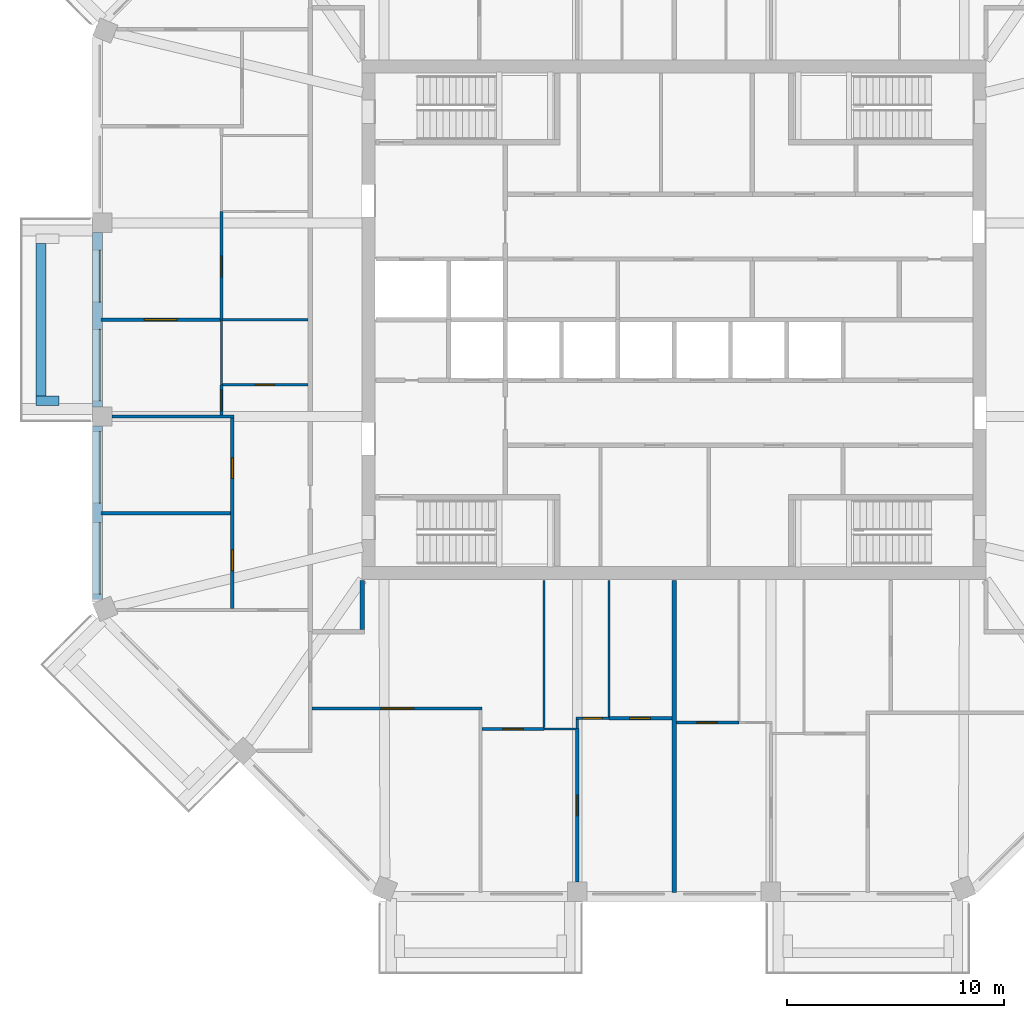
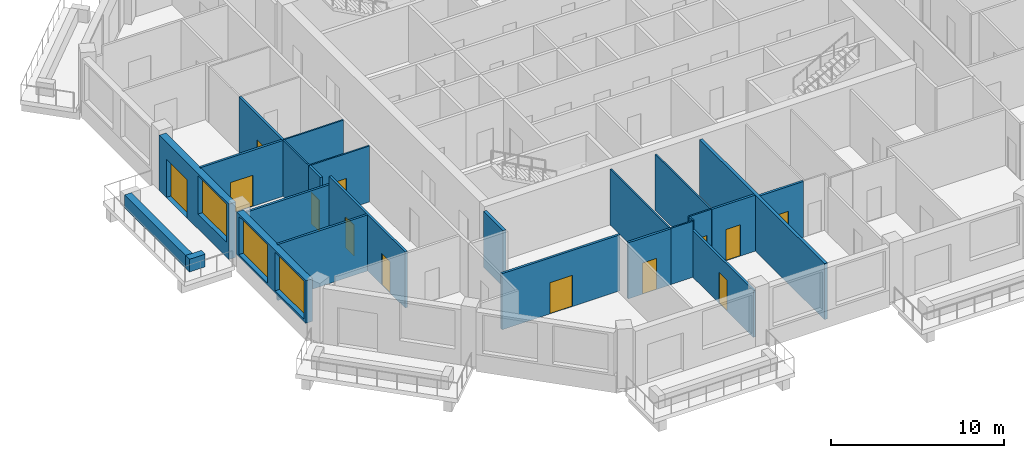
# One storey, part 3 of 12: 25 walls, 13 doors, 3 windows, 16 openings.
"""IFC4 building model written with IfcOpenShell, lengths in metres."""

from ifc_helpers import new_model, si_unit, direction, frame, frame_2d, origin, place, context, subcontext, project, spatial, rectangle, extrude, material, layer, layer_set, type_object, element, fill, save


model = new_model("IFC4")

# Units and contexts
model_context = context("Model", 3, precision=1e-05, world=origin(), true_north=direction((0.0, 1.0)))
body_context = subcontext(model_context, "Body", "Model", "MODEL_VIEW")
ifc_project = project(units=[si_unit("LENGTHUNIT", "METRE"), si_unit("AREAUNIT", "SQUARE_METRE"), si_unit("VOLUMEUNIT", "CUBIC_METRE"), si_unit("PLANEANGLEUNIT", "RADIAN"), si_unit("MASSUNIT", "GRAM", prefix="KILO")], contexts=[model_context])

# Site, building, storey
site_placement = place(None, origin())
site = spatial("IfcSite", under=ifc_project, at=site_placement, CompositionType="ELEMENT")
building_placement = place(site_placement, origin())
building = spatial("IfcBuilding", under=site, at=building_placement, Name="Msitu Wima Residences", CompositionType="ELEMENT")
storey_placement = place(building_placement, frame((0.0, 0.0, 255.89990234375)))
storey = spatial("IfcBuildingStorey", under=building, at=storey_placement, Name="L59", CompositionType="ELEMENT", Elevation=255.89990234375)

# Walls
ifc_material_1 = material(Name="Facing brick")
ifc_layer_1 = layer(ifc_material_1, 0.06494140625, Name="Facing brick")
ifc_material_2 = material(Name="Concrete C40/50", Category="concrete")
ifc_layer_2 = layer(ifc_material_2, 0.156005859375, Name="Concrete C40/50")
ifc_material_3 = material(Name="Waterproofing membrane")
ifc_layer_3 = layer(ifc_material_3, 0.00390625, Name="Waterproofing membrane")
ifc_material_4 = material(Name="Planting soil and planting")
ifc_layer_4 = layer(ifc_material_4, 0.22509765625, Name="Planting soil and planting")
ifc_layer_set_1 = layer_set([ifc_layer_1, ifc_layer_2, ifc_layer_3, ifc_layer_4], Name="Concrete C40/50")
wall_type_1 = type_object("IfcWallType", Name="Balcony planter PLANTER PL450", PredefinedType="USERDEFINED", material=ifc_layer_set_1)
wall_1_placement = place(storey_placement, frame((-29.22509765625, 3.5185546875, 0.0), z_axis=(0.0, 0.0, 1.0), x_axis=(0.0, -1.0, 0.0)))
element("IfcWall", 1, at=wall_1_placement, inside=storey, type_object=wall_type_1, Name="Balcony planter W1 L59", ObjectType="PLANTER", PredefinedType="USERDEFINED", context=body_context, shape_type="SweptSolid", body=[
    extrude(rectangle(XDim=7.037109375, YDim=0.449951171875, at=frame_2d((3.5185546875, 0.0))), origin(), (0.0, 0.0, 1.0), 0.900146484375),
])
wall_2_placement = place(storey_placement, frame((-28.39990234375, -3.74365234375, 0.0), z_axis=(0.0, 0.0, 1.0), x_axis=(-1.0, 0.0, 0.0)))
element("IfcWall", 2, at=wall_2_placement, inside=storey, type_object=wall_type_1, Name="Balcony planter W1 L59", ObjectType="PLANTER", PredefinedType="USERDEFINED", context=body_context, shape_type="SweptSolid", body=[
    extrude(rectangle(XDim=1.050048828125, YDim=0.449951171875, at=frame_2d((0.52490234375, 0.0))), origin(), (0.0, 0.0, 1.0), 0.900146484375),
])

# Wall, openings, door, window
ifc_material_5 = material(Name="Brick (red buff mix)", Category="masonry")
ifc_layer_5 = layer(ifc_material_5, 0.449951171875)
ifc_layer_set_2 = layer_set([ifc_layer_5], Name="Brick (red buff mix)")
wall_type_2 = type_object("IfcWallType", Name="Brick infill wall BW450", PredefinedType="SOLIDWALL", material=ifc_layer_set_2)
wall_3_placement = place(storey_placement, frame((-26.625, 4.0185546875, 0.0), z_axis=(0.0, 0.0, 1.0), x_axis=(0.0, -1.0, 0.0)))
wall_3 = element("IfcWall", 3, at=wall_3_placement, inside=storey, type_object=wall_type_2, Name="Brick infill wall L59 W1", PredefinedType="SOLIDWALL", context=body_context, shape_type="SweptSolid", body=[
    extrude(rectangle(XDim=8.037109375, YDim=0.449951171875, at=frame_2d((4.0185546875, 0.0))), origin(), (0.0, 0.0, 1.0), 3.900146484375),
])
opening_1_placement = place(wall_3_placement, frame((0.809326171875, 0.0, 0.0)))
opening_1 = element("IfcOpeningElement", 4, at=opening_1_placement, cuts=wall_3, Name="Opening D57-59.010", PredefinedType="OPENING", context=body_context, shape_type="SweptSolid", body=[
    extrude(rectangle(XDim=2.39990234375, YDim=2.699951171875, at=frame_2d((1.199951171875, 1.35009765625))), frame((0.0, 0.23486328125, 0.0), z_axis=(0.0, -1.0, 0.0), x_axis=(1.0, 0.0, 0.0)), (0.0, 0.0, 1.0), 0.469970703125),
])
opening_2_placement = place(wall_3_placement, frame((4.46875, 0.0, 1.050048828125)))
opening_2 = element("IfcOpeningElement", 5, at=opening_2_placement, cuts=wall_3, Name="Opening W57-59.028", PredefinedType="OPENING", context=body_context, shape_type="SweptSolid", body=[
    extrude(rectangle(XDim=3.300048828125, YDim=2.699951171875, at=frame_2d((1.64990234375, 1.35009765625))), frame((0.0, 0.23486328125, 0.0), z_axis=(0.0, -1.0, 0.0), x_axis=(1.0, 0.0, 0.0)), (0.0, 0.0, 1.0), 0.469970703125),
])
ifc_material_6 = material(Name="Anodised aluminium, bronze finish, clear low-emissivity double glazing", Category="aluminium")
door_type_1 = type_object("IfcDoorType", Name="Balcony door D2400x2700", OperationType="SLIDING_TO_LEFT", PredefinedType="DOOR", material=ifc_material_6)
door_1_placement = place(opening_1_placement, origin())
door_1 = element("IfcDoor", 6, at=door_1_placement, inside=storey, type_object=door_type_1, Name="Balcony door L59 W1", OperationType="SINGLE_SWING_LEFT", OverallHeight=2.699951171875, OverallWidth=2.39990234375, PredefinedType="DOOR", context=body_context, shape_type="SweptSolid", body=[
    extrude(rectangle(XDim=2.39990234375, YDim=2.699951171875, at=frame_2d((1.199951171875, 1.35009765625))), frame((0.0, 0.1298828125, 0.0), z_axis=(0.0, -1.0, 0.0), x_axis=(1.0, 0.0, 0.0)), (0.0, 0.0, 1.0), 0.050048828125),
])
fill(opening_1, door_1)
window_type = type_object("IfcWindowType", Name="Window W3300x2700", PartitioningType="DOUBLE_PANEL_VERTICAL", PredefinedType="WINDOW", material=ifc_material_6)
window_1_placement = place(opening_2_placement, origin())
window_1 = element("IfcWindow", 7, at=window_1_placement, inside=storey, type_object=window_type, Name="Window L59 W1.2", OverallHeight=2.699951171875, OverallWidth=3.300048828125, PartitioningType="SINGLE_PANEL", PredefinedType="WINDOW", context=body_context, shape_type="SweptSolid", body=[
    extrude(rectangle(XDim=3.300048828125, YDim=2.699951171875, at=frame_2d((1.64990234375, 1.35009765625))), frame((0.0, 0.135009765625, 0.0), z_axis=(0.0, -1.0, 0.0), x_axis=(1.0, 0.0, 0.0)), (0.0, 0.0, 1.0), 0.06005859375),
])
fill(opening_2, window_1)

# Wall, openings, windows
wall_4_placement = place(storey_placement, frame((-26.625, -4.918701171875, 0.900146484375), z_axis=(0.0, 0.0, 1.0), x_axis=(0.0, -1.0, 0.0)))
wall_4 = element("IfcWall", 8, at=wall_4_placement, inside=storey, type_object=wall_type_2, Name="Brick infill wall L59 W2", PredefinedType="SOLIDWALL", context=body_context, shape_type="SweptSolid", body=[
    extrude(rectangle(XDim=8.0, YDim=0.449951171875, at=frame_2d((4.0, 0.0))), origin(), (0.0, 0.0, 1.0), 3.0),
])
opening_3_placement = place(wall_4_placement, frame((0.25, 0.0, 0.14990234375)))
opening_3 = element("IfcOpeningElement", 9, at=opening_3_placement, cuts=wall_4, Name="Opening W57-59.029", PredefinedType="OPENING", context=body_context, shape_type="SweptSolid", body=[
    extrude(rectangle(XDim=3.300048828125, YDim=2.699951171875, at=frame_2d((1.64990234375, 1.35009765625))), frame((0.0, 0.23486328125, 0.0), z_axis=(0.0, -1.0, 0.0), x_axis=(1.0, 0.0, 0.0)), (0.0, 0.0, 1.0), 0.469970703125),
])
opening_4_placement = place(wall_4_placement, frame((4.4501953125, 0.0, 0.14990234375)))
opening_4 = element("IfcOpeningElement", 10, at=opening_4_placement, cuts=wall_4, Name="Opening W57-59.030", PredefinedType="OPENING", context=body_context, shape_type="SweptSolid", body=[
    extrude(rectangle(XDim=3.300048828125, YDim=2.699951171875, at=frame_2d((1.64990234375, 1.35009765625))), frame((0.0, 0.23486328125, 0.0), z_axis=(0.0, -1.0, 0.0), x_axis=(1.0, 0.0, 0.0)), (0.0, 0.0, 1.0), 0.469970703125),
])
window_2_placement = place(opening_3_placement, origin())
window_2 = element("IfcWindow", 11, at=window_2_placement, inside=storey, type_object=window_type, Name="Window L59 W2.1", OverallHeight=2.699951171875, OverallWidth=3.300048828125, PartitioningType="SINGLE_PANEL", PredefinedType="WINDOW", context=body_context, shape_type="SweptSolid", body=[
    extrude(rectangle(XDim=3.300048828125, YDim=2.699951171875, at=frame_2d((1.64990234375, 1.35009765625))), frame((0.0, 0.135009765625, 0.0), z_axis=(0.0, -1.0, 0.0), x_axis=(1.0, 0.0, 0.0)), (0.0, 0.0, 1.0), 0.06005859375),
])
fill(opening_3, window_2)
window_3_placement = place(opening_4_placement, origin())
window_3 = element("IfcWindow", 12, at=window_3_placement, inside=storey, type_object=window_type, Name="Window L59 W2.2", OverallHeight=2.699951171875, OverallWidth=3.300048828125, PartitioningType="SINGLE_PANEL", PredefinedType="WINDOW", context=body_context, shape_type="SweptSolid", body=[
    extrude(rectangle(XDim=3.300048828125, YDim=2.699951171875, at=frame_2d((1.64990234375, 1.35009765625))), frame((0.0, 0.135009765625, 0.0), z_axis=(0.0, -1.0, 0.0), x_axis=(1.0, 0.0, 0.0)), (0.0, 0.0, 1.0), 0.06005859375),
])
fill(opening_4, window_3)

# Walls
ifc_material_7 = material(Name="Plaster")
ifc_layer_6 = layer(ifc_material_7, 0.011962890625, Name="Plaster")
ifc_material_8 = material(Name="Concrete blockwork", Category="masonry")
ifc_layer_7 = layer(ifc_material_8, 0.176025390625, Name="Concrete blockwork")
ifc_layer_8 = layer(ifc_material_7, 0.011962890625, Name="Plaster")
ifc_layer_set_3 = layer_set([ifc_layer_6, ifc_layer_7, ifc_layer_8], Name="Concrete blockwork")
wall_type_3 = type_object("IfcWallType", Name="Corridor wall FW200", PredefinedType="PARTITIONING", material=ifc_layer_set_3)
wall_5_placement = place(storey_placement, frame((-14.39990234375, -14.300048828125, 0.0), z_axis=(0.0, 0.0, 1.0), x_axis=(0.0, 1.0, 0.0)))
element("IfcWall", 13, at=wall_5_placement, inside=storey, type_object=wall_type_3, Name="Corridor wall", PredefinedType="PARTITIONING", context=body_context, shape_type="SweptSolid", body=[
    extrude(rectangle(XDim=2.27001953125, YDim=0.199951171875, at=frame_2d((1.135009765625, 0.0))), origin(), (0.0, 0.0, 1.0), 3.9501953125),
])
ifc_layer_9 = layer(ifc_material_7, 0.011962890625, Name="Plaster")
ifc_layer_10 = layer(ifc_material_8, 0.1259765625, Name="Concrete blockwork")
ifc_layer_11 = layer(ifc_material_7, 0.011962890625, Name="Plaster")
ifc_layer_set_4 = layer_set([ifc_layer_9, ifc_layer_10, ifc_layer_11], Name="Concrete blockwork")
wall_type_4 = type_object("IfcWallType", Name="Partition PW150", PredefinedType="PARTITIONING", material=ifc_layer_set_4)
wall_6_placement = place(storey_placement, frame((-26.455078125, -8.937255859375, 0.0), z_axis=(0.0, 0.0, 1.0), x_axis=(1.0, 0.0, 0.0)))
element("IfcWall", 14, at=wall_6_placement, inside=storey, type_object=wall_type_4, Name="Partition", PredefinedType="PARTITIONING", context=body_context, shape_type="SweptSolid", body=[
    extrude(rectangle(XDim=5.97998046875, YDim=0.14990234375, at=frame_2d((2.989990234375, 0.0))), origin(), (0.0, 0.0, 1.0), 3.9501953125),
])
wall_7_placement = place(storey_placement, frame((-25.949951171875, -4.46875, 0.0), z_axis=(0.0, 0.0, 1.0), x_axis=(1.0, 0.0, 0.0)))
element("IfcWall", 15, at=wall_7_placement, inside=storey, type_object=wall_type_4, Name="Partition", PredefinedType="PARTITIONING", context=body_context, shape_type="SweptSolid", body=[
    extrude(rectangle(XDim=5.625, YDim=0.14990234375, at=frame_2d((2.8125, 0.0))), origin(), (0.0, 0.0, 1.0), 3.35009765625),
])

# Wall, opening, door
wall_8_placement = place(storey_placement, frame((-26.455078125, 0.0, 0.0), z_axis=(0.0, 0.0, 1.0), x_axis=(1.0, 0.0, 0.0)))
wall_8 = element("IfcWall", 16, at=wall_8_placement, inside=storey, type_object=wall_type_4, Name="Partition", PredefinedType="PARTITIONING", context=body_context, shape_type="SweptSolid", body=[
    extrude(rectangle(XDim=5.5751953125, YDim=0.14990234375, at=frame_2d((2.78759765625, 0.0))), origin(), (0.0, 0.0, 1.0), 3.9501953125),
])
opening_5_placement = place(wall_8_placement, frame((2.0, 0.0, 0.0)))
opening_5 = element("IfcOpeningElement", 17, at=opening_5_placement, cuts=wall_8, Name="Opening D57-59.046", PredefinedType="OPENING", context=body_context, shape_type="SweptSolid", body=[
    extrude(rectangle(XDim=1.5, YDim=2.199951171875, at=frame_2d((0.75, 1.10009765625))), frame((0.0, 0.0849609375, 0.0), z_axis=(0.0, -1.0, 0.0), x_axis=(1.0, 0.0, 0.0)), (0.0, 0.0, 1.0), 0.169921875),
])
ifc_material_9 = material(Name="Timber double door", Category="wood")
door_type_2 = type_object("IfcDoorType", Name="Double door D04 1500x2200", OperationType="DOUBLE_DOOR_SINGLE_SWING", PredefinedType="DOOR", material=ifc_material_9)
door_2_placement = place(opening_5_placement, origin())
door_2 = element("IfcDoor", 18, at=door_2_placement, inside=storey, type_object=door_type_2, Name="Double door", OperationType="DOUBLE_DOOR_SINGLE_SWING", OverallHeight=2.199951171875, OverallWidth=1.5, PredefinedType="DOOR", context=body_context, shape_type="SweptSolid", body=[
    extrude(rectangle(XDim=1.5, YDim=2.199951171875, at=frame_2d((0.75, 1.10009765625))), frame((0.0, 0.02490234375, 0.0), z_axis=(0.0, -1.0, 0.0), x_axis=(1.0, 0.0, 0.0)), (0.0, 0.0, 1.0), 0.050048828125),
])
fill(opening_5, door_2)

wall_9_placement = place(storey_placement, frame((-20.89990234375, -4.3935546875, 0.0), z_axis=(0.0, 0.0, 1.0), x_axis=(0.0, 1.0, 0.0)))
wall_9 = element("IfcWall", 19, at=wall_9_placement, inside=storey, type_object=wall_type_4, Name="Partition", PredefinedType="PARTITIONING", context=body_context, shape_type="SweptSolid", body=[
    extrude(rectangle(XDim=1.37353515625, YDim=0.14990234375, at=frame_2d((0.686767578125, 0.0))), origin(), (0.0, 0.0, 1.0), 3.9501953125),
])
opening_6_placement = place(wall_9_placement, frame((0.199951171875, 0.0, 0.0)))
opening_6 = element("IfcOpeningElement", 20, at=opening_6_placement, cuts=wall_9, Name="Opening D57-59.045", PredefinedType="OPENING", context=body_context, shape_type="SweptSolid", body=[
    extrude(rectangle(XDim=0.949951171875, YDim=2.199951171875, at=frame_2d((0.47509765625, 1.10009765625))), frame((0.0, 0.0849609375, 0.0), z_axis=(0.0, -1.0, 0.0), x_axis=(1.0, 0.0, 0.0)), (0.0, 0.0, 1.0), 0.169921875),
])
ifc_material_10 = material(Name="Timber flush door", Category="wood")
door_type_3 = type_object("IfcDoorType", Name="Room door D12 950x2200", OperationType="SINGLE_SWING_LEFT", PredefinedType="DOOR", material=ifc_material_10)
door_3_placement = place(opening_6_placement, origin())
door_3 = element("IfcDoor", 21, at=door_3_placement, inside=storey, type_object=door_type_3, Name="Room door", OperationType="SINGLE_SWING_LEFT", OverallHeight=2.199951171875, OverallWidth=0.949951171875, PredefinedType="DOOR", context=body_context, shape_type="SweptSolid", body=[
    extrude(rectangle(XDim=0.949951171875, YDim=2.199951171875, at=frame_2d((0.47509765625, 1.10009765625))), frame((0.0, 0.02490234375, 0.0), z_axis=(0.0, -1.0, 0.0), x_axis=(1.0, 0.0, 0.0)), (0.0, 0.0, 1.0), 0.050048828125),
])
fill(opening_6, door_3)

wall_10_placement = place(storey_placement, frame((-20.89990234375, -0.02001953125, 0.0), z_axis=(0.0, 0.0, 1.0), x_axis=(0.0, 1.0, 0.0)))
wall_10 = element("IfcWall", 22, at=wall_10_placement, inside=storey, type_object=wall_type_4, Name="Partition", PredefinedType="PARTITIONING", context=body_context, shape_type="SweptSolid", body=[
    extrude(rectangle(XDim=5.02001953125, YDim=0.14990234375, at=frame_2d((2.510009765625, 0.0))), origin(), (0.0, 0.0, 1.0), 3.9501953125),
])
opening_7_placement = place(wall_10_placement, frame((2.0, 0.0, 0.0)))
opening_7 = element("IfcOpeningElement", 23, at=opening_7_placement, cuts=wall_10, Name="Opening D57-59.030", PredefinedType="OPENING", context=body_context, shape_type="SweptSolid", body=[
    extrude(rectangle(XDim=0.949951171875, YDim=2.199951171875, at=frame_2d((0.47509765625, 1.10009765625))), frame((0.0, 0.0849609375, 0.0), z_axis=(0.0, -1.0, 0.0), x_axis=(1.0, 0.0, 0.0)), (0.0, 0.0, 1.0), 0.169921875),
])
door_4_placement = place(opening_7_placement, origin())
door_4 = element("IfcDoor", 24, at=door_4_placement, inside=storey, type_object=door_type_3, Name="Room door", OperationType="SINGLE_SWING_LEFT", OverallHeight=2.199951171875, OverallWidth=0.949951171875, PredefinedType="DOOR", context=body_context, shape_type="SweptSolid", body=[
    extrude(rectangle(XDim=0.949951171875, YDim=2.199951171875, at=frame_2d((0.47509765625, 1.10009765625))), frame((0.0, 0.02490234375, 0.0), z_axis=(0.0, -1.0, 0.0), x_axis=(1.0, 0.0, 0.0)), (0.0, 0.0, 1.0), 0.050048828125),
])
fill(opening_7, door_4)

# Wall, openings, doors
wall_11_placement = place(storey_placement, frame((-20.39990234375, -13.330810546875, 0.0), z_axis=(0.0, 0.0, 1.0), x_axis=(0.0, 1.0, 0.0)))
wall_11 = element("IfcWall", 25, at=wall_11_placement, inside=storey, type_object=wall_type_4, Name="Partition", PredefinedType="PARTITIONING", context=body_context, shape_type="SweptSolid", body=[
    extrude(rectangle(XDim=8.787109375, YDim=0.14990234375, at=frame_2d((4.3935546875, 0.0))), origin(), (0.0, 0.0, 1.0), 3.9501953125),
])
opening_8_placement = place(wall_11_placement, frame((1.75, 0.0, 0.0)))
opening_8 = element("IfcOpeningElement", 26, at=opening_8_placement, cuts=wall_11, Name="Opening D57-59.043", PredefinedType="OPENING", context=body_context, shape_type="SweptSolid", body=[
    extrude(rectangle(XDim=0.949951171875, YDim=2.199951171875, at=frame_2d((0.47509765625, 1.10009765625))), frame((0.0, 0.0849609375, 0.0), z_axis=(0.0, -1.0, 0.0), x_axis=(1.0, 0.0, 0.0)), (0.0, 0.0, 1.0), 0.169921875),
])
opening_9_placement = place(wall_11_placement, frame((6.0, 0.0, 0.0)))
opening_9 = element("IfcOpeningElement", 27, at=opening_9_placement, cuts=wall_11, Name="Opening D57-59.044", PredefinedType="OPENING", context=body_context, shape_type="SweptSolid", body=[
    extrude(rectangle(XDim=0.949951171875, YDim=2.199951171875, at=frame_2d((0.47509765625, 1.10009765625))), frame((0.0, 0.0849609375, 0.0), z_axis=(0.0, -1.0, 0.0), x_axis=(1.0, 0.0, 0.0)), (0.0, 0.0, 1.0), 0.169921875),
])
door_5_placement = place(opening_8_placement, origin())
door_5 = element("IfcDoor", 28, at=door_5_placement, inside=storey, type_object=door_type_3, Name="Room door", OperationType="SINGLE_SWING_RIGHT", OverallHeight=2.199951171875, OverallWidth=0.949951171875, PredefinedType="DOOR", context=body_context, shape_type="SweptSolid", body=[
    extrude(rectangle(XDim=0.949951171875, YDim=2.199951171875, at=frame_2d((0.47509765625, 1.10009765625))), frame((0.0, 0.02490234375, 0.0), z_axis=(0.0, -1.0, 0.0), x_axis=(1.0, 0.0, 0.0)), (0.0, 0.0, 1.0), 0.050048828125),
])
fill(opening_8, door_5)
door_6_placement = place(opening_9_placement, origin())
door_6 = element("IfcDoor", 29, at=door_6_placement, inside=storey, type_object=door_type_3, Name="Room door", OperationType="SINGLE_SWING_LEFT", OverallHeight=2.199951171875, OverallWidth=0.949951171875, PredefinedType="DOOR", context=body_context, shape_type="SweptSolid", body=[
    extrude(rectangle(XDim=0.949951171875, YDim=2.199951171875, at=frame_2d((0.47509765625, 1.10009765625))), frame((0.0, 0.02490234375, 0.0), z_axis=(0.0, -1.0, 0.0), x_axis=(1.0, 0.0, 0.0)), (0.0, 0.0, 1.0), 0.050048828125),
])
fill(opening_9, door_6)

# Wall, opening, door
wall_12_placement = place(storey_placement, frame((-16.72509765625, -17.949951171875, 0.0), z_axis=(0.0, 0.0, 1.0), x_axis=(1.0, 0.0, 0.0)))
wall_12 = element("IfcWall", 30, at=wall_12_placement, inside=storey, type_object=wall_type_4, Name="Partition", PredefinedType="PARTITIONING", context=body_context, shape_type="SweptSolid", body=[
    extrude(rectangle(XDim=7.86279296875, YDim=0.14990234375, at=frame_2d((3.931396484375, 0.0))), origin(), (0.0, 0.0, 1.0), 3.9501953125),
])
opening_10_placement = place(wall_12_placement, frame((3.199951171875, 0.0, 0.0)))
opening_10 = element("IfcOpeningElement", 31, at=opening_10_placement, cuts=wall_12, Name="Opening D57-59.027", PredefinedType="OPENING", context=body_context, shape_type="SweptSolid", body=[
    extrude(rectangle(XDim=1.5, YDim=2.199951171875, at=frame_2d((0.75, 1.10009765625))), frame((0.0, 0.0849609375, 0.0), z_axis=(0.0, -1.0, 0.0), x_axis=(1.0, 0.0, 0.0)), (0.0, 0.0, 1.0), 0.169921875),
])
door_7_placement = place(opening_10_placement, origin())
door_7 = element("IfcDoor", 32, at=door_7_placement, inside=storey, type_object=door_type_2, Name="Double door", OperationType="DOUBLE_DOOR_SINGLE_SWING", OverallHeight=2.199951171875, OverallWidth=1.5, PredefinedType="DOOR", context=body_context, shape_type="SweptSolid", body=[
    extrude(rectangle(XDim=1.5, YDim=2.199951171875, at=frame_2d((0.75, 1.10009765625))), frame((0.0, 0.02490234375, 0.0), z_axis=(0.0, -1.0, 0.0), x_axis=(1.0, 0.0, 0.0)), (0.0, 0.0, 1.0), 0.050048828125),
])
fill(opening_10, door_7)

wall_13_placement = place(storey_placement, frame((-8.8623046875, -18.89990234375, 0.0), z_axis=(0.0, 0.0, 1.0), x_axis=(1.0, 0.0, 0.0)))
wall_13 = element("IfcWall", 33, at=wall_13_placement, inside=storey, type_object=wall_type_4, Name="Partition", PredefinedType="PARTITIONING", context=body_context, shape_type="SweptSolid", body=[
    extrude(rectangle(XDim=2.8623046875, YDim=0.14990234375, at=frame_2d((1.43115234375, 0.0))), origin(), (0.0, 0.0, 1.0), 3.9501953125),
])
opening_11_placement = place(wall_13_placement, frame((0.949951171875, 0.0, 0.0)))
opening_11 = element("IfcOpeningElement", 34, at=opening_11_placement, cuts=wall_13, Name="Opening D57-59.026", PredefinedType="OPENING", context=body_context, shape_type="SweptSolid", body=[
    extrude(rectangle(XDim=0.949951171875, YDim=2.199951171875, at=frame_2d((0.47509765625, 1.10009765625))), frame((0.0, 0.0849609375, 0.0), z_axis=(0.0, -1.0, 0.0), x_axis=(1.0, 0.0, 0.0)), (0.0, 0.0, 1.0), 0.169921875),
])
door_8_placement = place(opening_11_placement, origin())
door_8 = element("IfcDoor", 35, at=door_8_placement, inside=storey, type_object=door_type_3, Name="Room door", OperationType="SINGLE_SWING_RIGHT", OverallHeight=2.199951171875, OverallWidth=0.949951171875, PredefinedType="DOOR", context=body_context, shape_type="SweptSolid", body=[
    extrude(rectangle(XDim=0.949951171875, YDim=2.199951171875, at=frame_2d((0.47509765625, 1.10009765625))), frame((0.0, 0.02490234375, 0.0), z_axis=(0.0, -1.0, 0.0), x_axis=(1.0, 0.0, 0.0)), (0.0, 0.0, 1.0), 0.050048828125),
])
fill(opening_11, door_8)

wall_14_placement = place(storey_placement, frame((-4.46875, -25.949951171875, 0.0), z_axis=(0.0, 0.0, 1.0), x_axis=(0.0, 1.0, 0.0)))
wall_14 = element("IfcWall", 36, at=wall_14_placement, inside=storey, type_object=wall_type_4, Name="Partition", PredefinedType="PARTITIONING", context=body_context, shape_type="SweptSolid", body=[
    extrude(rectangle(XDim=7.070068359375, YDim=0.14990234375, at=frame_2d((3.53515625, 0.0))), origin(), (0.0, 0.0, 1.0), 3.300048828125),
])
opening_12_placement = place(wall_14_placement, frame((3.050048828125, 0.0, 0.0)))
opening_12 = element("IfcOpeningElement", 37, at=opening_12_placement, cuts=wall_14, Name="Opening D57-59.033", PredefinedType="OPENING", context=body_context, shape_type="SweptSolid", body=[
    extrude(rectangle(XDim=0.949951171875, YDim=2.199951171875, at=frame_2d((0.47509765625, 1.10009765625))), frame((0.0, 0.0849609375, 0.0), z_axis=(0.0, -1.0, 0.0), x_axis=(1.0, 0.0, 0.0)), (0.0, 0.0, 1.0), 0.169921875),
])
door_9_placement = place(opening_12_placement, origin())
door_9 = element("IfcDoor", 38, at=door_9_placement, inside=storey, type_object=door_type_3, Name="Room door", OperationType="SINGLE_SWING_RIGHT", OverallHeight=2.199951171875, OverallWidth=0.949951171875, PredefinedType="DOOR", context=body_context, shape_type="SweptSolid", body=[
    extrude(rectangle(XDim=0.949951171875, YDim=2.199951171875, at=frame_2d((0.47509765625, 1.10009765625))), frame((0.0, 0.02490234375, 0.0), z_axis=(0.0, -1.0, 0.0), x_axis=(1.0, 0.0, 0.0)), (0.0, 0.0, 1.0), 0.050048828125),
])
fill(opening_12, door_9)

wall_15_placement = place(storey_placement, frame((-3.0, -18.39990234375, 0.0), z_axis=(0.0, 0.0, 1.0), x_axis=(1.0, 0.0, 0.0)))
wall_15 = element("IfcWall", 39, at=wall_15_placement, inside=storey, type_object=wall_type_4, Name="Partition", PredefinedType="PARTITIONING", context=body_context, shape_type="SweptSolid", body=[
    extrude(rectangle(XDim=2.89990234375, YDim=0.14990234375, at=frame_2d((1.449951171875, 0.0))), origin(), (0.0, 0.0, 1.0), 3.9501953125),
])
opening_13_placement = place(wall_15_placement, frame((0.949951171875, 0.0, 0.0)))
opening_13 = element("IfcOpeningElement", 40, at=opening_13_placement, cuts=wall_15, Name="Opening D57-59.037", PredefinedType="OPENING", context=body_context, shape_type="SweptSolid", body=[
    extrude(rectangle(XDim=0.949951171875, YDim=2.199951171875, at=frame_2d((0.47509765625, 1.10009765625))), frame((0.0, 0.0849609375, 0.0), z_axis=(0.0, -1.0, 0.0), x_axis=(1.0, 0.0, 0.0)), (0.0, 0.0, 1.0), 0.169921875),
])
door_10_placement = place(opening_13_placement, origin())
door_10 = element("IfcDoor", 41, at=door_10_placement, inside=storey, type_object=door_type_3, Name="Room door", OperationType="SINGLE_SWING_LEFT", OverallHeight=2.199951171875, OverallWidth=0.949951171875, PredefinedType="DOOR", context=body_context, shape_type="SweptSolid", body=[
    extrude(rectangle(XDim=0.949951171875, YDim=2.199951171875, at=frame_2d((0.47509765625, 1.10009765625))), frame((0.0, 0.02490234375, 0.0), z_axis=(0.0, -1.0, 0.0), x_axis=(1.0, 0.0, 0.0)), (0.0, 0.0, 1.0), 0.050048828125),
])
fill(opening_13, door_10)

wall_16_placement = place(storey_placement, frame((0.10009765625, -18.60009765625, 0.0), z_axis=(0.0, 0.0, 1.0), x_axis=(1.0, 0.0, 0.0)))
wall_16 = element("IfcWall", 42, at=wall_16_placement, inside=storey, type_object=wall_type_4, Name="Partition", PredefinedType="PARTITIONING", context=body_context, shape_type="SweptSolid", body=[
    extrude(rectangle(XDim=2.89990234375, YDim=0.14990234375, at=frame_2d((1.449951171875, 0.0))), origin(), (0.0, 0.0, 1.0), 3.9501953125),
])
opening_14_placement = place(wall_16_placement, frame((0.949951171875, 0.0, 0.0)))
opening_14 = element("IfcOpeningElement", 43, at=opening_14_placement, cuts=wall_16, Name="Opening D57-59.053", PredefinedType="OPENING", context=body_context, shape_type="SweptSolid", body=[
    extrude(rectangle(XDim=0.949951171875, YDim=2.199951171875, at=frame_2d((0.47509765625, 1.10009765625))), frame((0.0, 0.0849609375, 0.0), z_axis=(0.0, -1.0, 0.0), x_axis=(1.0, 0.0, 0.0)), (0.0, 0.0, 1.0), 0.169921875),
])
door_11_placement = place(opening_14_placement, origin())
door_11 = element("IfcDoor", 44, at=door_11_placement, inside=storey, type_object=door_type_3, Name="Room door", OperationType="SINGLE_SWING_RIGHT", OverallHeight=2.199951171875, OverallWidth=0.949951171875, PredefinedType="DOOR", context=body_context, shape_type="SweptSolid", body=[
    extrude(rectangle(XDim=0.949951171875, YDim=2.199951171875, at=frame_2d((0.47509765625, 1.10009765625))), frame((0.0, 0.02490234375, 0.0), z_axis=(0.0, -1.0, 0.0), x_axis=(1.0, 0.0, 0.0)), (0.0, 0.0, 1.0), 0.050048828125),
])
fill(opening_14, door_11)

# Walls
ifc_layer_12 = layer(ifc_material_7, 0.011962890625, Name="Plaster")
ifc_material_11 = material(Name="Dense concrete blockwork", Category="masonry")
ifc_layer_13 = layer(ifc_material_11, 0.176025390625, Name="Dense concrete blockwork")
ifc_layer_14 = layer(ifc_material_7, 0.011962890625, Name="Plaster")
ifc_layer_set_5 = layer_set([ifc_layer_12, ifc_layer_13, ifc_layer_14], Name="Dense concrete blockwork")
wall_type_5 = type_object("IfcWallType", Name="Party wall PW200", PredefinedType="PARTITIONING", material=ifc_layer_set_5)
wall_17_placement = place(storey_placement, frame((0.0, -26.455078125, 0.0), z_axis=(0.0, 0.0, 1.0), x_axis=(0.0, 1.0, 0.0)))
element("IfcWall", 45, at=wall_17_placement, inside=storey, type_object=wall_type_5, Name="Party wall", PredefinedType="PARTITIONING", context=body_context, shape_type="SweptSolid", body=[
    extrude(rectangle(XDim=14.425048828125, YDim=0.199951171875, at=frame_2d((7.21240234375, 0.0))), origin(), (0.0, 0.0, 1.0), 3.9501953125),
])
ifc_material_12 = material(Name="Ceramic tiles")
ifc_layer_15 = layer(ifc_material_12, 0.008056640625, Name="Ceramic tiles")
ifc_material_13 = material(Name="Moisture-resistant board")
ifc_layer_16 = layer(ifc_material_13, 0.012451171875, Name="Moisture-resistant board")
ifc_material_14 = material(Name="Light-gauge stud framing with mineral wool")
ifc_layer_17 = layer(ifc_material_14, 0.06689453125, Name="Light-gauge stud framing with mineral wool")
ifc_layer_18 = layer(ifc_material_13, 0.012451171875, Name="Moisture-resistant board")
ifc_layer_set_6 = layer_set([ifc_layer_15, ifc_layer_16, ifc_layer_17, ifc_layer_18], Name="Light-gauge stud framing with mineral wool")
wall_type_6 = type_object("IfcWallType", Name="Wet wall PW100", PredefinedType="PARTITIONING", material=ifc_layer_set_6)
wall_18_placement = place(storey_placement, frame((-20.89990234375, -3.02001953125, 0.0), z_axis=(0.0, 0.0, 1.0), x_axis=(0.0, 1.0, 0.0)))
element("IfcWall", 46, at=wall_18_placement, inside=storey, type_object=wall_type_6, Name="Wet wall", PredefinedType="PARTITIONING", context=body_context, shape_type="SweptSolid", body=[
    extrude(rectangle(XDim=3.0, YDim=0.10009765625, at=frame_2d((1.5, 0.0))), origin(), (0.0, 0.0, 1.0), 3.9501953125),
])

# Wall, opening, door
wall_19_placement = place(storey_placement, frame((-20.85009765625, -3.0, 0.0), z_axis=(0.0, 0.0, 1.0), x_axis=(1.0, 0.0, 0.0)))
wall_19 = element("IfcWall", 47, at=wall_19_placement, inside=storey, type_object=wall_type_6, Name="Wet wall", PredefinedType="PARTITIONING", context=body_context, shape_type="SweptSolid", body=[
    extrude(rectangle(XDim=3.9501953125, YDim=0.10009765625, at=frame_2d((1.97509765625, 0.0))), origin(), (0.0, 0.0, 1.0), 3.9501953125),
])
opening_15_placement = place(wall_19_placement, frame((1.5, 0.0, 0.0)))
opening_15 = element("IfcOpeningElement", 48, at=opening_15_placement, cuts=wall_19, Name="Opening D57-59.036", PredefinedType="OPENING", context=body_context, shape_type="SweptSolid", body=[
    extrude(rectangle(XDim=0.89990234375, YDim=2.199951171875, at=frame_2d((0.449951171875, 1.10009765625))), frame((0.0, 0.06005859375, 0.0), z_axis=(0.0, -1.0, 0.0), x_axis=(1.0, 0.0, 0.0)), (0.0, 0.0, 1.0), 0.1201171875),
])
ifc_material_15 = material(Name="Timber flush door, moisture resistant", Category="wood")
door_type_4 = type_object("IfcDoorType", Name="Bathroom door D03 900x2200", OperationType="SINGLE_SWING_LEFT", PredefinedType="DOOR", material=ifc_material_15)
door_12_placement = place(opening_15_placement, origin())
door_12 = element("IfcDoor", 49, at=door_12_placement, inside=storey, type_object=door_type_4, Name="Bathroom door", OperationType="SINGLE_SWING_LEFT", OverallHeight=2.199951171875, OverallWidth=0.89990234375, PredefinedType="DOOR", context=body_context, shape_type="SweptSolid", body=[
    extrude(rectangle(XDim=0.89990234375, YDim=2.199951171875, at=frame_2d((0.449951171875, 1.10009765625))), frame((0.0, 0.02490234375, 0.0), z_axis=(0.0, -1.0, 0.0), x_axis=(1.0, 0.0, 0.0)), (0.0, 0.0, 1.0), 0.050048828125),
])
fill(opening_15, door_12)

# Walls
wall_20_placement = place(storey_placement, frame((-20.8798828125, 0.0, 0.0), z_axis=(0.0, 0.0, 1.0), x_axis=(1.0, 0.0, 0.0)))
element("IfcWall", 50, at=wall_20_placement, inside=storey, type_object=wall_type_6, Name="Wet wall", PredefinedType="PARTITIONING", context=body_context, shape_type="SweptSolid", body=[
    extrude(rectangle(XDim=3.97998046875, YDim=0.10009765625, at=frame_2d((1.989990234375, 0.0))), origin(), (0.0, 0.0, 1.0), 3.9501953125),
])
wall_21_placement = place(storey_placement, frame((-6.0, -18.824951171875, 0.0), z_axis=(0.0, 0.0, 1.0), x_axis=(0.0, 1.0, 0.0)))
element("IfcWall", 51, at=wall_21_placement, inside=storey, type_object=wall_type_6, Name="Wet wall", PredefinedType="PARTITIONING", context=body_context, shape_type="SweptSolid", body=[
    extrude(rectangle(XDim=6.794921875, YDim=0.10009765625, at=frame_2d((3.3974609375, 0.0))), origin(), (0.0, 0.0, 1.0), 3.9501953125),
])
wall_22_placement = place(storey_placement, frame((-6.0, -18.89990234375, 0.0), z_axis=(0.0, 0.0, 1.0), x_axis=(1.0, 0.0, 0.0)))
element("IfcWall", 52, at=wall_22_placement, inside=storey, type_object=wall_type_6, Name="Wet wall", PredefinedType="PARTITIONING", context=body_context, shape_type="SweptSolid", body=[
    extrude(rectangle(XDim=1.456298828125, YDim=0.10009765625, at=frame_2d((0.72802734375, 0.0))), origin(), (0.0, 0.0, 1.0), 3.9501953125),
])
wall_23_placement = place(storey_placement, frame((-4.46875, -18.8798828125, 0.0), z_axis=(0.0, 0.0, 1.0), x_axis=(0.0, 1.0, 0.0)))
element("IfcWall", 53, at=wall_23_placement, inside=storey, type_object=wall_type_6, Name="Wet wall", PredefinedType="PARTITIONING", context=body_context, shape_type="SweptSolid", body=[
    extrude(rectangle(XDim=0.429931640625, YDim=0.10009765625, at=frame_2d((0.21484375, 0.0))), origin(), (0.0, 0.0, 1.0), 3.9501953125),
])

# Wall, opening, door
wall_24_placement = place(storey_placement, frame((-4.5185546875, -18.39990234375, 0.0), z_axis=(0.0, 0.0, 1.0), x_axis=(1.0, 0.0, 0.0)))
wall_24 = element("IfcWall", 54, at=wall_24_placement, inside=storey, type_object=wall_type_6, Name="Wet wall", PredefinedType="PARTITIONING", context=body_context, shape_type="SweptSolid", body=[
    extrude(rectangle(XDim=1.5185546875, YDim=0.10009765625, at=frame_2d((0.75927734375, 0.0))), origin(), (0.0, 0.0, 1.0), 3.9501953125),
])
opening_16_placement = place(wall_24_placement, frame((0.300048828125, 0.0, 0.0)))
opening_16 = element("IfcOpeningElement", 55, at=opening_16_placement, cuts=wall_24, Name="Opening D57-59.038", PredefinedType="OPENING", context=body_context, shape_type="SweptSolid", body=[
    extrude(rectangle(XDim=0.89990234375, YDim=2.199951171875, at=frame_2d((0.449951171875, 1.10009765625))), frame((0.0, 0.06005859375, 0.0), z_axis=(0.0, -1.0, 0.0), x_axis=(1.0, 0.0, 0.0)), (0.0, 0.0, 1.0), 0.1201171875),
])
door_13_placement = place(opening_16_placement, origin())
door_13 = element("IfcDoor", 56, at=door_13_placement, inside=storey, type_object=door_type_4, Name="Bathroom door", OperationType="SINGLE_SWING_RIGHT", OverallHeight=2.199951171875, OverallWidth=0.89990234375, PredefinedType="DOOR", context=body_context, shape_type="SweptSolid", body=[
    extrude(rectangle(XDim=0.89990234375, YDim=2.199951171875, at=frame_2d((0.449951171875, 1.10009765625))), frame((0.0, 0.02490234375, 0.0), z_axis=(0.0, -1.0, 0.0), x_axis=(1.0, 0.0, 0.0)), (0.0, 0.0, 1.0), 0.050048828125),
])
fill(opening_16, door_13)

# Wall
wall_25_placement = place(storey_placement, frame((-3.0, -18.35009765625, 0.0), z_axis=(0.0, 0.0, 1.0), x_axis=(0.0, 1.0, 0.0)))
element("IfcWall", 57, at=wall_25_placement, inside=storey, type_object=wall_type_6, Name="Wet wall", PredefinedType="PARTITIONING", context=body_context, shape_type="SweptSolid", body=[
    extrude(rectangle(XDim=6.320068359375, YDim=0.10009765625, at=frame_2d((3.16015625, 0.0))), origin(), (0.0, 0.0, 1.0), 3.9501953125),
])

save(model, "model.ifc")
